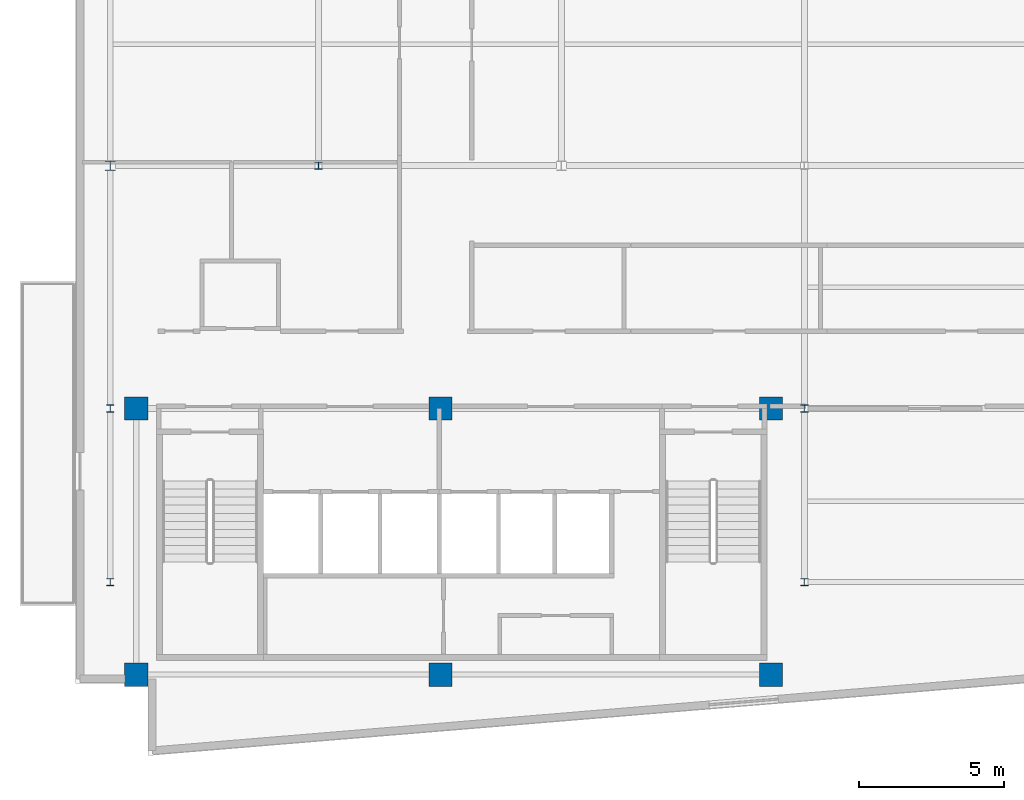
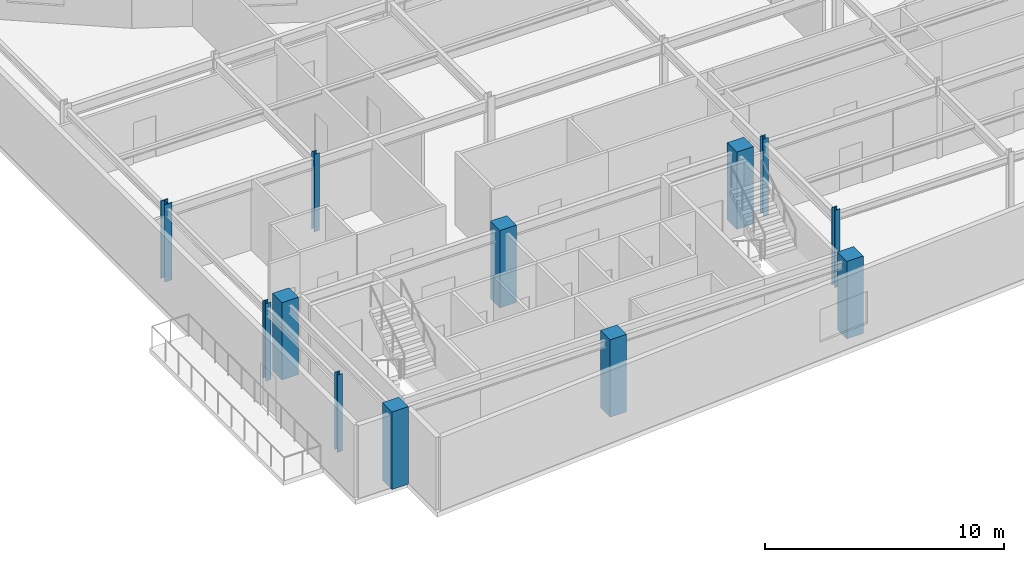
# One storey, part 1 of 19: 12 columns.
"""IFC4 building model written with IfcOpenShell, lengths in metres."""

from ifc_helpers import new_model, si_unit, direction, frame, origin, origin_2d, place, context, subcontext, project, spatial, rectangle, i_section, extrude, material, material_profile, profile_set, type_object, element, save


model = new_model("IFC4")

# Units and contexts
model_context = context("Model", 3, precision=1e-05, world=origin(), true_north=direction((0.0, 1.0)))
body_context = subcontext(model_context, "Body", "Model", "MODEL_VIEW")
ifc_project = project(units=[si_unit("LENGTHUNIT", "METRE"), si_unit("AREAUNIT", "SQUARE_METRE"), si_unit("VOLUMEUNIT", "CUBIC_METRE"), si_unit("PLANEANGLEUNIT", "RADIAN"), si_unit("MASSUNIT", "GRAM", prefix="KILO")], contexts=[model_context])

# Site, building, storey
site_placement = place(None, origin())
site = spatial("IfcSite", under=ifc_project, at=site_placement, CompositionType="ELEMENT")
building_placement = place(site_placement, origin())
building = spatial("IfcBuilding", under=site, at=building_placement, Name="Varnakote Quay Hospital", CompositionType="ELEMENT")
storey_placement = place(building_placement, frame((0.0, 0.0, 240.75)))
storey = spatial("IfcBuildingStorey", under=building, at=storey_placement, Name="L59", CompositionType="ELEMENT", Elevation=240.75)

# Columns
ifc_material_1 = material(Name="Concrete N50 (f'c 50 MPa)", Category="concrete")
ifc_material_profile_1 = material_profile(ifc_material_1, rectangle(XDim=0.800048828125, YDim=0.800048828125, at=origin_2d()), Name="RC-COL-800x800")
ifc_profile_set_1 = profile_set([ifc_material_profile_1], Name="Concrete N50 (f'c 50 MPa)")
column_type_1 = type_object("IfcColumnType", Name="COL-RC-800", PredefinedType="COLUMN", material=ifc_profile_set_1)
for number, where, z_axis, x_axis, name in (
    (1, (2.10009765625, 2.800048828125, 0.0), (0.0, 0.0, 1.0), (1.0, 0.0, 0.0), "L59 Structural Column C-2-3"),
    (2, (12.6201171875, 2.800048828125, 0.0), (0.0, 0.0, 1.0), (1.0, 0.0, 0.0), "L59 Structural Column C-13-3"),
    (3, (24.050048828125, 2.800048828125, 0.0), (0.0, 0.0, 1.0), (1.0, 0.0, 0.0), "L59 Structural Column C-24-3"),
    (4, (2.10009765625, 12.0, 0.0), (0.0, 0.0, 1.0), (1.0, 0.0, 0.0), "L59 Structural Column C-2-12"),
    (5, (12.6201171875, 12.0, 0.0), (0.0, 0.0, 1.0), (1.0, 0.0, 0.0), "L59 Structural Column C-13-12"),
    (6, (24.050048828125, 12.0, 0.0), (0.0, 0.0, 1.0), (1.0, 0.0, 0.0), "L59 Structural Column C-24-12"),
):
    element("IfcColumn", number, at=place(storey_placement, frame(where, z_axis=z_axis, x_axis=x_axis)), inside=storey, type_object=column_type_1, Name=name, PredefinedType="COLUMN", context=body_context, shape_type="SweptSolid", body=[
        extrude(rectangle(XDim=0.800048828125, YDim=0.800048828125, at=origin_2d()), origin(), (0.0, 0.0, 1.0), 3.949951171875),
    ])
ifc_material_2 = material(Name="Structural steel AS/NZS 3679.1 Grade 350 L0 (fy 340 MPa)", Category="steel")
ifc_material_profile_2 = material_profile(ifc_material_2, i_section(OverallWidth=0.25390625, OverallDepth=0.25390625, WebThickness=0.008544921875, FlangeThickness=0.01416015625, FilletRadius=0.0126953125, at=origin_2d()), Name="250UC72.9")
ifc_profile_set_2 = profile_set([ifc_material_profile_2], Name="Structural steel AS/NZS 3679.1 Grade 350 L0 (fy 340 MPa)")
column_type_2 = type_object("IfcColumnType", Name="COL-STL-250UC72-9", PredefinedType="COLUMN", material=ifc_profile_set_2)
for number, where, z_axis, x_axis, name in (
    (7, (1.199951171875, 6.0, 0.0), (0.0, 0.0, 1.0), (1.0, 0.0, 0.0), "L59 Structural Column C-1-6"),
    (8, (25.199951171875, 6.0, 0.0), (0.0, 0.0, 1.0), (1.0, 0.0, 0.0), "L59 Structural Column C-25-6"),
    (9, (1.199951171875, 12.0, 0.0), (0.0, 0.0, 1.0), (1.0, 0.0, 0.0), "L59 Structural Column C-1-12"),
    (10, (25.199951171875, 12.0, 0.0), (0.0, 0.0, 1.0), (1.0, 0.0, 0.0), "L59 Structural Column C-25-12"),
    (11, (8.39990234375, 20.39990234375, 0.0), (0.0, 0.0, 1.0), (1.0, 0.0, 0.0), "L59 Structural Column C-8-20"),
):
    element("IfcColumn", number, at=place(storey_placement, frame(where, z_axis=z_axis, x_axis=x_axis)), inside=storey, type_object=column_type_2, Name=name, PredefinedType="COLUMN", context=body_context, shape_type="SweptSolid", body=[
        extrude(i_section(OverallWidth=0.25390625, OverallDepth=0.25390625, WebThickness=0.008544921875, FlangeThickness=0.01416015625, FilletRadius=0.0126953125, at=origin_2d()), origin(), (0.0, 0.0, 1.0), 3.949951171875),
    ])
ifc_material_3 = material(Name="Structural steel AS/NZS 3678 Grade 350 (fy 340 MPa)", Category="steel")
ifc_material_profile_3 = material_profile(ifc_material_3, i_section(OverallWidth=0.35009765625, OverallDepth=0.340087890625, WebThickness=0.01611328125, FlangeThickness=0.028076171875, at=origin_2d()), Name="350WC197")
ifc_profile_set_3 = profile_set([ifc_material_profile_3], Name="Structural steel AS/NZS 3678 Grade 350 (fy 340 MPa)")
column_type_3 = type_object("IfcColumnType", Name="COL-STL-350WC197", PredefinedType="COLUMN", material=ifc_profile_set_3)
column_placement = place(storey_placement, frame((1.199951171875, 20.39990234375, 0.0), z_axis=(0.0, 0.0, 1.0), x_axis=(1.0, 0.0, 0.0)))
element("IfcColumn", 12, at=column_placement, inside=storey, type_object=column_type_3, Name="L59 Structural Column C-1-20", PredefinedType="COLUMN", context=body_context, shape_type="SweptSolid", body=[
    extrude(i_section(OverallWidth=0.35009765625, OverallDepth=0.340087890625, WebThickness=0.01611328125, FlangeThickness=0.028076171875, at=origin_2d()), origin(), (0.0, 0.0, 1.0), 3.949951171875),
])

save(model, "model.ifc")
